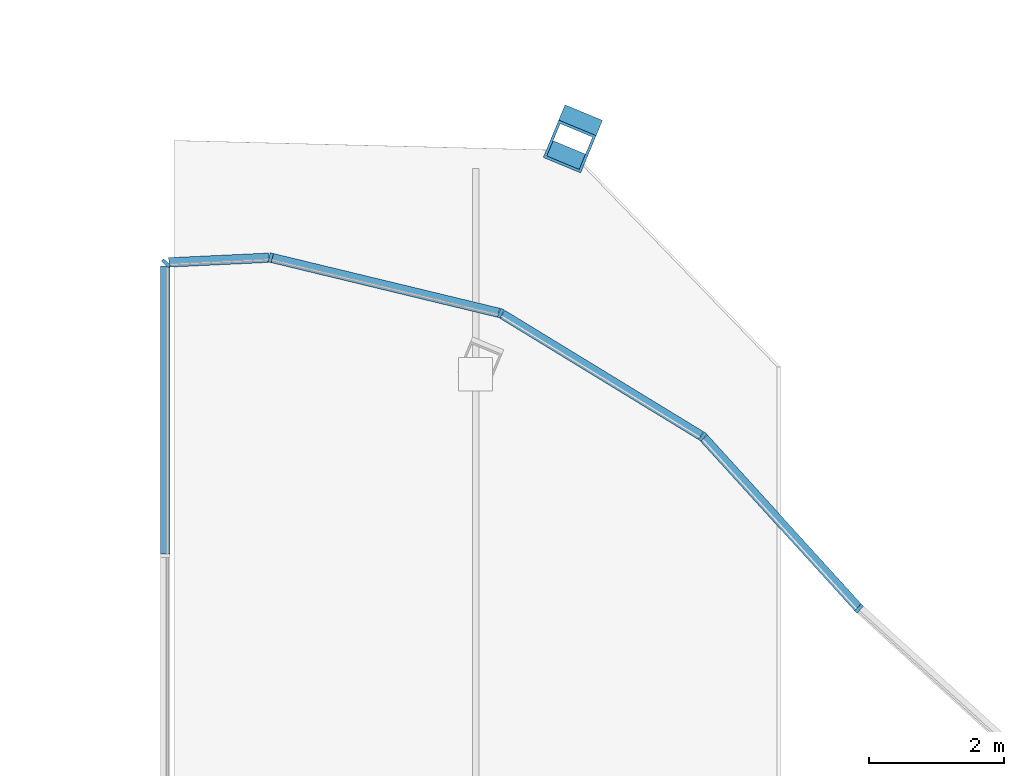
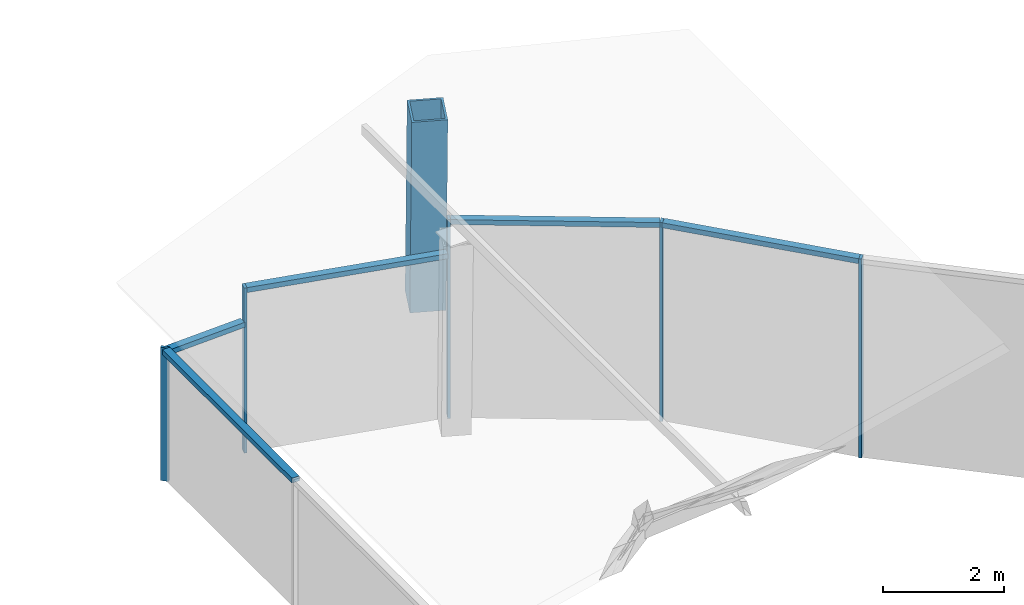
# One storey, part 6 of 16: 11 members, 3 elements without a shape of their own.
"""IFC4 building model written with IfcOpenShell, lengths in metres."""

from ifc_helpers import new_model, si_unit, direction, frame, origin, origin_2d, place, context, subcontext, project, spatial, rectangle, hollow_rectangle, extrude, material, material_profile, profile_set, type_object, element, aggregate, save


model = new_model("IFC4")

# Units and contexts
model_context = context("Model", 3, precision=1e-05, world=origin(), true_north=direction((0.0, 1.0)))
body_context = subcontext(model_context, "Body", "Model", "MODEL_VIEW")
ifc_project = project(units=[si_unit("LENGTHUNIT", "METRE"), si_unit("AREAUNIT", "SQUARE_METRE"), si_unit("VOLUMEUNIT", "CUBIC_METRE"), si_unit("PLANEANGLEUNIT", "RADIAN"), si_unit("MASSUNIT", "GRAM", prefix="KILO")], contexts=[model_context])

# Site, building, storey
site_placement = place(None, origin())
site = spatial("IfcSite", under=ifc_project, at=site_placement, CompositionType="ELEMENT")
building_placement = place(site_placement, origin())
building = spatial("IfcBuilding", under=site, at=building_placement, Name="Ogive Gate Towers", CompositionType="ELEMENT")
storey_placement = place(building_placement, frame((0.0, 0.0, 310.0)))
storey = spatial("IfcBuildingStorey", under=building, at=storey_placement, Name="L73", CompositionType="ELEMENT", Elevation=310.0)

# Curtain wall, member
ifc_material_1 = material(Name="Pale metal aluminium", Category="aluminium")
curtain_wall_type = type_object("IfcCurtainWallType", Name="Crown lean wall", PredefinedType="NOTDEFINED", material=ifc_material_1)
curtain_wall_1_placement = place(storey_placement, origin())
curtain_wall_1 = element("IfcCurtainWall", 1, at=curtain_wall_1_placement, inside=storey, type_object=curtain_wall_type, Name="CW5 T1 ECW01", PredefinedType="NOTDEFINED")
ifc_material_profile_1 = material_profile(ifc_material_1, rectangle(XDim=0.139892578125, YDim=0.050048828125, at=origin_2d()), Name="50 x 140 aluminium box")
ifc_profile_set_1 = profile_set([ifc_material_profile_1], Name="Pale metal aluminium")
member_type_1 = type_object("IfcMemberType", Name="Crown lean wall mullion 50 x 140", PredefinedType="MULLION", material=ifc_profile_set_1)
member_1_placement = place(storey_placement, frame((-23.835205078125, 12.166748046875, -0.300048828125), z_axis=(0.0, 0.0, 1.0), x_axis=(-0.672857590776, -0.739772034167, 0.0)))
member_1 = element("IfcMember", 2, at=member_1_placement, type_object=member_type_1, Name="CW5 mullion", PredefinedType="MULLION", context=body_context, shape_type="SweptSolid", body=[
    extrude(rectangle(XDim=0.139892578125, YDim=0.050048828125, at=origin_2d()), origin(), (0.0, 0.0, 1.0), 4.0),
])
aggregate(curtain_wall_1, [member_1])

# Curtain wall, members
curtain_wall_2_placement = place(storey_placement, origin())
curtain_wall_2 = element("IfcCurtainWall", 3, at=curtain_wall_2_placement, inside=storey, type_object=curtain_wall_type, Name="CW5 T1 ECW02", PredefinedType="NOTDEFINED")
member_2_placement = place(storey_placement, frame((-32.5546875, 17.3671875, -0.300048828125), z_axis=(0.0, 0.0, 1.0), x_axis=(-0.234938540911, -0.97201022731, 0.0)))
member_2 = element("IfcMember", 4, at=member_2_placement, type_object=member_type_1, Name="CW5 mullion", PredefinedType="MULLION", context=body_context, shape_type="SweptSolid", body=[
    extrude(rectangle(XDim=0.139892578125, YDim=0.050048828125, at=origin_2d()), origin(), (0.0, 0.0, 1.0), 3.318359375),
])
member_3_placement = place(storey_placement, frame((-29.147705078125, 16.543212890625, -0.300048828125), z_axis=(0.0, 0.0, 1.0), x_axis=(-0.382683432365, -0.923879532511, 0.0)))
member_3 = element("IfcMember", 5, at=member_3_placement, type_object=member_type_1, Name="CW5 mullion", PredefinedType="MULLION", context=body_context, shape_type="SweptSolid", body=[
    extrude(rectangle(XDim=0.139892578125, YDim=0.050048828125, at=origin_2d()), origin(), (0.0, 0.0, 1.0), 4.0),
])
member_4_placement = place(storey_placement, frame((-26.15234375, 14.714111328125, -0.300048828125), z_axis=(0.0, 0.0, 1.0), x_axis=(-0.63691282586, -0.770935828882, 0.0)))
member_4 = element("IfcMember", 6, at=member_4_placement, type_object=member_type_1, Name="CW5 mullion", PredefinedType="MULLION", context=body_context, shape_type="SweptSolid", body=[
    extrude(rectangle(XDim=0.139892578125, YDim=0.050048828125, at=origin_2d()), origin(), (0.0, 0.0, 1.0), 4.0),
])

# Curtain wall, member
curtain_wall_3_placement = place(storey_placement, origin())
curtain_wall_3 = element("IfcCurtainWall", 7, at=curtain_wall_3_placement, inside=storey, type_object=curtain_wall_type, Name="CW5 T1 ECW02b", PredefinedType="NOTDEFINED")
member_5_placement = place(storey_placement, frame((-34.10986328125, 17.286376953125, -0.300048828125), z_axis=(0.0, 0.0, 1.0), x_axis=(0.723642058162, -0.6901754644, 0.0)))
member_5 = element("IfcMember", 8, at=member_5_placement, type_object=member_type_1, Name="CW5 mullion", PredefinedType="MULLION", context=body_context, shape_type="SweptSolid", body=[
    extrude(rectangle(XDim=0.139892578125, YDim=0.050048828125, at=origin_2d()), origin(), (0.0, 0.0, 1.0), 2.679931640625),
])

# Member
ifc_material_profile_2 = material_profile(ifc_material_1, rectangle(XDim=0.139892578125, YDim=0.10009765625, at=origin_2d()), Name="100 x 140 aluminium box")
ifc_profile_set_2 = profile_set([ifc_material_profile_2], Name="Pale metal aluminium")
member_type_2 = type_object("IfcMemberType", Name="Crown lean wall transom 100 x 140", PredefinedType="USERDEFINED", material=ifc_profile_set_2)
member_6_placement = place(storey_placement, frame((-32.530517578125, 17.361083984375, 2.96826171875), z_axis=(0.972018732922, -0.234903347889, 0.0), x_axis=(0.234903347889, 0.972018732922, 0.0)))
member_6 = element("IfcMember", 9, at=member_6_placement, type_object=member_type_2, Name="CW5 transom", ObjectType="TRANSOM", PredefinedType="USERDEFINED", context=body_context, shape_type="SweptSolid", body=[
    extrude(rectangle(XDim=0.139892578125, YDim=0.10009765625, at=origin_2d()), origin(), (0.0, 0.0, 1.0), 3.450439453125),
])

member_7_placement = place(storey_placement, frame((-29.1220703125, 16.528076171875, 3.64990234375), z_axis=(0.853414724934, -0.521232488691, 0.0), x_axis=(0.521232488691, 0.853414724934, 0.0)))
member_7 = element("IfcMember", 10, at=member_7_placement, type_object=member_type_2, Name="CW5 transom", ObjectType="TRANSOM", PredefinedType="USERDEFINED", context=body_context, shape_type="SweptSolid", body=[
    extrude(rectangle(XDim=0.139892578125, YDim=0.10009765625, at=origin_2d()), origin(), (0.0, 0.0, 1.0), 3.45068359375),
])

member_8_placement = place(storey_placement, frame((-26.132568359375, 14.692626953125, 3.64990234375), z_axis=(0.672884128864, -0.739747895653, 0.0), x_axis=(0.739747895653, 0.672884128864, 0.0)))
member_8 = element("IfcMember", 11, at=member_8_placement, type_object=member_type_2, Name="CW5 transom", ObjectType="TRANSOM", PredefinedType="USERDEFINED", context=body_context, shape_type="SweptSolid", body=[
    extrude(rectangle(XDim=0.139892578125, YDim=0.10009765625, at=origin_2d()), origin(), (0.0, 0.0, 1.0), 3.39208984375),
])

aggregate(curtain_wall_2, [member_2, member_3, member_6, member_4, member_7, member_8])

member_9_placement = place(storey_placement, frame((-34.1181640625, 12.97412109375, 2.330078125), z_axis=(0.0, 1.0, 0.0), x_axis=(-1.0, 0.0, 0.0)))
member_9 = element("IfcMember", 12, at=member_9_placement, type_object=member_type_2, Name="CW5 transom", ObjectType="TRANSOM", PredefinedType="USERDEFINED", context=body_context, shape_type="SweptSolid", body=[
    extrude(rectangle(XDim=0.139892578125, YDim=0.10009765625, at=origin_2d()), origin(), (0.0, 0.0, 1.0), 4.266357421875),
])

member_10_placement = place(storey_placement, frame((-34.064697265625, 17.296630859375, 2.285400390625), z_axis=(0.998875971008, 0.047400364365, 0.0), x_axis=(-0.047400364365, 0.998875971008, 0.0)))
member_10 = element("IfcMember", 13, at=member_10_placement, type_object=member_type_2, Name="CW5 transom", ObjectType="TRANSOM", PredefinedType="USERDEFINED", context=body_context, shape_type="SweptSolid", body=[
    extrude(rectangle(XDim=0.139892578125, YDim=0.10009765625, at=origin_2d()), origin(), (0.0, 0.0, 1.0), 1.478271484375),
])

aggregate(curtain_wall_3, [member_5, member_9, member_10])

ifc_material_2 = material(Name="Steel SM460", Category="steel")
ifc_material_profile_3 = material_profile(ifc_material_2, hollow_rectangle(XDim=0.60009765625, YDim=0.60009765625, WallThickness=0.0400390625, at=origin_2d()), Name="BX 600x600x40")
ifc_profile_set_3 = profile_set([ifc_material_profile_3], Name="Steel SM460")
member_type_3 = type_object("IfcMemberType", Name="Crown rib BX 600x600x40", PredefinedType="MEMBER", material=ifc_profile_set_3)
member_11_placement = place(storey_placement, frame((-28.030029296875, 19.2412109375, 0.0), z_axis=(-0.02339375174, -0.056413057581, 0.998133407573), x_axis=(0.923724896159, -0.383056544411, 0.0)))
element("IfcMember", 14, at=member_11_placement, inside=storey, type_object=member_type_3, Name="T1/L73/STR002", PredefinedType="MEMBER", context=body_context, shape_type="SweptSolid", body=[
    extrude(hollow_rectangle(XDim=0.60009765625, YDim=0.60009765625, WallThickness=0.0400390625, at=origin_2d()), origin(), (0.0, 0.0, 1.0), 4.007568359375),
])

save(model, "model.ifc")
